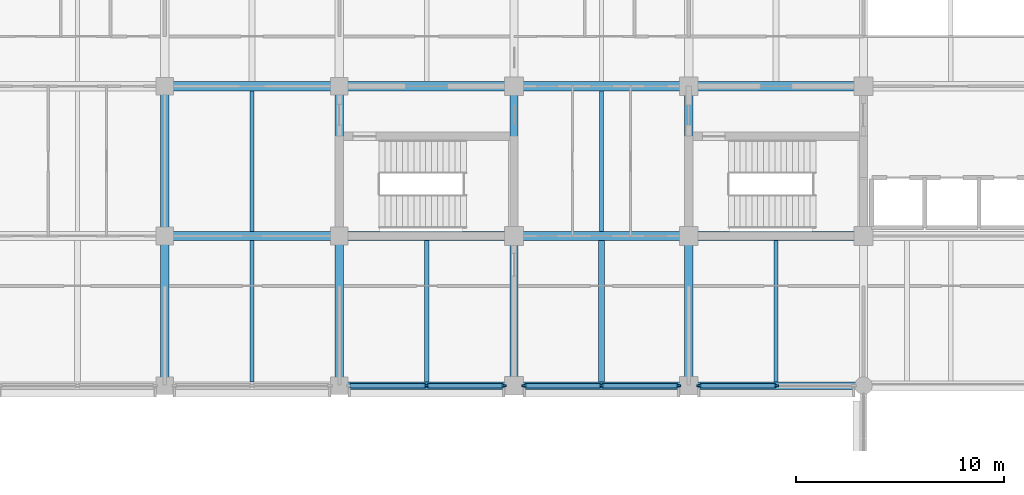
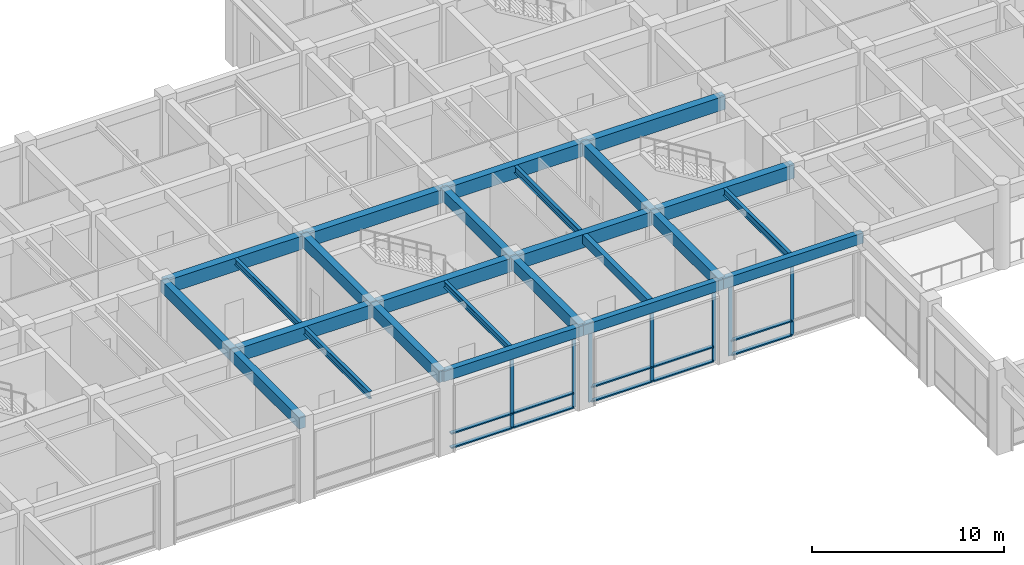
# One storey, part 11 of 68: 25 beams, 22 members, 3 elements without a shape of their own.
"""IFC4 building model written with IfcOpenShell, lengths in metres."""

from ifc_helpers import new_model, si_unit, direction, frame, origin, origin_2d, place, context, subcontext, project, spatial, rectangle, i_section, extrude, material, layer, layer_set, material_profile, profile_set, type_object, element, aggregate, save


model = new_model("IFC4")

# Units and contexts
model_context = context("Model", 3, precision=1e-05, world=origin(), true_north=direction((0.0, 1.0)))
body_context = subcontext(model_context, "Body", "Model", "MODEL_VIEW")
ifc_project = project(units=[si_unit("LENGTHUNIT", "METRE"), si_unit("AREAUNIT", "SQUARE_METRE"), si_unit("VOLUMEUNIT", "CUBIC_METRE"), si_unit("PLANEANGLEUNIT", "RADIAN"), si_unit("MASSUNIT", "GRAM", prefix="KILO")], contexts=[model_context])

# Site, building, storey
site_placement = place(None, origin())
site = spatial("IfcSite", under=ifc_project, at=site_placement, CompositionType="ELEMENT")
building_placement = place(site_placement, origin())
building = spatial("IfcBuilding", under=site, at=building_placement, Name="Chengyuan Square Courthouse", CompositionType="ELEMENT")
storey_placement = place(building_placement, frame((0.0, 0.0, 5.39990234375)))
storey = spatial("IfcBuildingStorey", under=building, at=storey_placement, Name="L02", CompositionType="ELEMENT", Elevation=5.39990234375)

# Beams
ifc_material_1 = material(Name="Concrete C40", Category="concrete")
ifc_material_profile_1 = material_profile(ifc_material_1, rectangle(XDim=0.449951171875, YDim=0.85009765625, at=origin_2d()), Name="RC-BM-450x850")
ifc_profile_set_1 = profile_set([ifc_material_profile_1], Name="Concrete C40")
beam_type_1 = type_object("IfcBeamType", Name="BM-01", PredefinedType="USERDEFINED", material=ifc_profile_set_1)
for number, where, z_axis, x_axis, name in (
    (1, (33.60009765625, 86.39990234375, 4.695068359375), (1.0, 0.0, 0.0), (0.0, 1.0, 0.0), "Girder BM-L02-2143"),
    (2, (42.0, 86.39990234375, 4.695068359375), (1.0, 0.0, 0.0), (0.0, 1.0, 0.0), "Girder BM-L02-2144"),
):
    element("IfcBeam", number, at=place(storey_placement, frame(where, z_axis=z_axis, x_axis=x_axis)), inside=storey, type_object=beam_type_1, Name=name, ObjectType="GIRDER", PredefinedType="USERDEFINED", context=body_context, shape_type="SweptSolid", body=[
        extrude(rectangle(XDim=0.449951171875, YDim=0.85009765625, at=origin_2d()), origin(), (0.0, 0.0, 1.0), 8.39990234375),
    ])
beam_1_placement = place(storey_placement, frame((50.39990234375, 86.39990234375, 4.695068359375), z_axis=(1.0, 0.0, 0.0), x_axis=(0.0, 1.0, 0.0)))
element("IfcBeam", 3, at=beam_1_placement, inside=storey, type_object=beam_type_1, Name="Girder BM-L02-2145", ObjectType="GIRDER", PredefinedType="USERDEFINED", context=body_context, shape_type="SweptSolid", body=[
    extrude(rectangle(XDim=0.449951171875, YDim=0.85009765625, at=origin_2d()), origin(), (0.0, 0.0, 1.0), 8.400146484375),
])
for number, where, z_axis, x_axis, name in (
    (4, (58.800048828125, 86.39990234375, 4.695068359375), (1.0, 0.0, 0.0), (0.0, 1.0, 0.0), "Girder BM-L02-2146"),
    (5, (33.60009765625, 93.60009765625, 4.695068359375), (1.0, 0.0, 0.0), (0.0, 1.0, 0.0), "Girder BM-L02-2163"),
    (6, (42.0, 93.60009765625, 4.695068359375), (1.0, 0.0, 0.0), (0.0, 1.0, 0.0), "Girder BM-L02-2164"),
):
    element("IfcBeam", number, at=place(storey_placement, frame(where, z_axis=z_axis, x_axis=x_axis)), inside=storey, type_object=beam_type_1, Name=name, ObjectType="GIRDER", PredefinedType="USERDEFINED", context=body_context, shape_type="SweptSolid", body=[
        extrude(rectangle(XDim=0.449951171875, YDim=0.85009765625, at=origin_2d()), origin(), (0.0, 0.0, 1.0), 8.39990234375),
    ])
beam_2_placement = place(storey_placement, frame((50.39990234375, 93.60009765625, 4.695068359375), z_axis=(1.0, 0.0, 0.0), x_axis=(0.0, 1.0, 0.0)))
element("IfcBeam", 7, at=beam_2_placement, inside=storey, type_object=beam_type_1, Name="Girder BM-L02-2165", ObjectType="GIRDER", PredefinedType="USERDEFINED", context=body_context, shape_type="SweptSolid", body=[
    extrude(rectangle(XDim=0.449951171875, YDim=0.85009765625, at=origin_2d()), origin(), (0.0, 0.0, 1.0), 8.400146484375),
])
beam_3_placement = place(storey_placement, frame((58.800048828125, 93.60009765625, 4.695068359375), z_axis=(1.0, 0.0, 0.0), x_axis=(0.0, 1.0, 0.0)))
element("IfcBeam", 8, at=beam_3_placement, inside=storey, type_object=beam_type_1, Name="Girder BM-L02-2166", ObjectType="GIRDER", PredefinedType="USERDEFINED", context=body_context, shape_type="SweptSolid", body=[
    extrude(rectangle(XDim=0.449951171875, YDim=0.85009765625, at=origin_2d()), origin(), (0.0, 0.0, 1.0), 8.39990234375),
])
ifc_material_profile_2 = material_profile(ifc_material_1, rectangle(XDim=0.39990234375, YDim=0.75, at=origin_2d()), Name="RC-BM-400x750")
ifc_profile_set_2 = profile_set([ifc_material_profile_2], Name="Concrete C40")
beam_type_2 = type_object("IfcBeamType", Name="BM-02", PredefinedType="USERDEFINED", material=ifc_profile_set_2)
beam_4_placement = place(storey_placement, frame((33.60009765625, 79.199951171875, 4.7451171875), z_axis=(0.0, 1.0, 0.0), x_axis=(-1.0, 0.0, 0.0)))
element("IfcBeam", 9, at=beam_4_placement, inside=storey, type_object=beam_type_2, Name="Girder BM-L02-2276", ObjectType="GIRDER", PredefinedType="USERDEFINED", context=body_context, shape_type="SweptSolid", body=[
    extrude(rectangle(XDim=0.39990234375, YDim=0.75, at=origin_2d()), origin(), (0.0, 0.0, 1.0), 7.199951171875),
])
beam_5_placement = place(storey_placement, frame((33.60009765625, 86.39990234375, 4.7451171875), z_axis=(0.0, 1.0, 0.0), x_axis=(-1.0, 0.0, 0.0)))
element("IfcBeam", 10, at=beam_5_placement, inside=storey, type_object=beam_type_2, Name="Girder BM-L02-2277", ObjectType="GIRDER", PredefinedType="USERDEFINED", context=body_context, shape_type="SweptSolid", body=[
    extrude(rectangle(XDim=0.39990234375, YDim=0.75, at=origin_2d()), origin(), (0.0, 0.0, 1.0), 7.2001953125),
])
beam_6_placement = place(storey_placement, frame((42.0, 79.199951171875, 4.7451171875), z_axis=(0.0, 1.0, 0.0), x_axis=(-1.0, 0.0, 0.0)))
element("IfcBeam", 11, at=beam_6_placement, inside=storey, type_object=beam_type_2, Name="Girder BM-L02-2280", ObjectType="GIRDER", PredefinedType="USERDEFINED", context=body_context, shape_type="SweptSolid", body=[
    extrude(rectangle(XDim=0.39990234375, YDim=0.75, at=origin_2d()), origin(), (0.0, 0.0, 1.0), 7.199951171875),
])
beam_7_placement = place(storey_placement, frame((42.0, 86.39990234375, 4.7451171875), z_axis=(0.0, 1.0, 0.0), x_axis=(-1.0, 0.0, 0.0)))
element("IfcBeam", 12, at=beam_7_placement, inside=storey, type_object=beam_type_2, Name="Girder BM-L02-2281", ObjectType="GIRDER", PredefinedType="USERDEFINED", context=body_context, shape_type="SweptSolid", body=[
    extrude(rectangle(XDim=0.39990234375, YDim=0.75, at=origin_2d()), origin(), (0.0, 0.0, 1.0), 7.2001953125),
])
beam_8_placement = place(storey_placement, frame((50.39990234375, 79.199951171875, 4.7451171875), z_axis=(0.0, 1.0, 0.0), x_axis=(-1.0, 0.0, 0.0)))
element("IfcBeam", 13, at=beam_8_placement, inside=storey, type_object=beam_type_2, Name="Girder BM-L02-2284", ObjectType="GIRDER", PredefinedType="USERDEFINED", context=body_context, shape_type="SweptSolid", body=[
    extrude(rectangle(XDim=0.39990234375, YDim=0.75, at=origin_2d()), origin(), (0.0, 0.0, 1.0), 7.199951171875),
])
beam_9_placement = place(storey_placement, frame((50.39990234375, 86.39990234375, 4.7451171875), z_axis=(0.0, 1.0, 0.0), x_axis=(-1.0, 0.0, 0.0)))
element("IfcBeam", 14, at=beam_9_placement, inside=storey, type_object=beam_type_2, Name="Girder BM-L02-2285", ObjectType="GIRDER", PredefinedType="USERDEFINED", context=body_context, shape_type="SweptSolid", body=[
    extrude(rectangle(XDim=0.39990234375, YDim=0.75, at=origin_2d()), origin(), (0.0, 0.0, 1.0), 7.2001953125),
])
beam_10_placement = place(storey_placement, frame((58.800048828125, 79.199951171875, 4.7451171875), z_axis=(0.0, 1.0, 0.0), x_axis=(-1.0, 0.0, 0.0)))
element("IfcBeam", 15, at=beam_10_placement, inside=storey, type_object=beam_type_2, Name="Girder BM-L02-2289", ObjectType="GIRDER", PredefinedType="USERDEFINED", context=body_context, shape_type="SweptSolid", body=[
    extrude(rectangle(XDim=0.39990234375, YDim=0.75, at=origin_2d()), origin(), (0.0, 0.0, 1.0), 7.199951171875),
])
beam_11_placement = place(storey_placement, frame((58.800048828125, 86.39990234375, 4.7451171875), z_axis=(0.0, 1.0, 0.0), x_axis=(-1.0, 0.0, 0.0)))
element("IfcBeam", 16, at=beam_11_placement, inside=storey, type_object=beam_type_2, Name="Girder BM-L02-2290", ObjectType="GIRDER", PredefinedType="USERDEFINED", context=body_context, shape_type="SweptSolid", body=[
    extrude(rectangle(XDim=0.39990234375, YDim=0.75, at=origin_2d()), origin(), (0.0, 0.0, 1.0), 7.2001953125),
])
ifc_material_profile_3 = material_profile(ifc_material_1, rectangle(XDim=0.35009765625, YDim=0.64990234375, at=origin_2d()), Name="RC-BM-350x650")
ifc_profile_set_3 = profile_set([ifc_material_profile_3], Name="Concrete C40")
beam_type_3 = type_object("IfcBeamType", Name="BM-03", PredefinedType="SPANDREL", material=ifc_profile_set_3)
beam_12_placement = place(storey_placement, frame((42.0, 79.199951171875, 4.795166015625), z_axis=(1.0, 0.0, 0.0), x_axis=(0.0, 1.0, 0.0)))
element("IfcBeam", 17, at=beam_12_placement, inside=storey, type_object=beam_type_3, Name="Girder BM-L02-2124", PredefinedType="SPANDREL", context=body_context, shape_type="SweptSolid", body=[
    extrude(rectangle(XDim=0.35009765625, YDim=0.64990234375, at=origin_2d()), origin(), (0.0, 0.0, 1.0), 8.39990234375),
])
beam_13_placement = place(storey_placement, frame((50.39990234375, 79.199951171875, 4.795166015625), z_axis=(1.0, 0.0, 0.0), x_axis=(0.0, 1.0, 0.0)))
element("IfcBeam", 18, at=beam_13_placement, inside=storey, type_object=beam_type_3, Name="Girder BM-L02-2125", PredefinedType="SPANDREL", context=body_context, shape_type="SweptSolid", body=[
    extrude(rectangle(XDim=0.35009765625, YDim=0.64990234375, at=origin_2d()), origin(), (0.0, 0.0, 1.0), 8.400146484375),
])
beam_14_placement = place(storey_placement, frame((58.800048828125, 79.199951171875, 4.795166015625), z_axis=(1.0, 0.0, 0.0), x_axis=(0.0, 1.0, 0.0)))
element("IfcBeam", 19, at=beam_14_placement, inside=storey, type_object=beam_type_3, Name="Girder BM-L02-2126", PredefinedType="SPANDREL", context=body_context, shape_type="SweptSolid", body=[
    extrude(rectangle(XDim=0.35009765625, YDim=0.64990234375, at=origin_2d()), origin(), (0.0, 0.0, 1.0), 8.39990234375),
])
ifc_material_profile_4 = material_profile(ifc_material_1, rectangle(XDim=0.300048828125, YDim=0.550048828125, at=origin_2d()), Name="RC-BM-300x550")
ifc_profile_set_4 = profile_set([ifc_material_profile_4], Name="Concrete C40")
beam_type_4 = type_object("IfcBeamType", Name="BM-04", PredefinedType="BEAM", material=ifc_profile_set_4)
beam_15_placement = place(storey_placement, frame((54.60009765625, 79.375, 4.84521484375), z_axis=(0.0, 1.0, 0.0), x_axis=(-1.0, 0.0, 0.0)))
element("IfcBeam", 20, at=beam_15_placement, inside=storey, type_object=beam_type_4, Name="Secondary Floor Beam SBM-L02-2433", PredefinedType="BEAM", context=body_context, shape_type="SweptSolid", body=[
    extrude(rectangle(XDim=0.300048828125, YDim=0.550048828125, at=origin_2d()), origin(), (0.0, 0.0, 1.0), 6.800048828125),
])
ifc_material_2 = material(Name="Steel Q355B", Category="steel")
ifc_material_profile_5 = material_profile(ifc_material_2, i_section(OverallWidth=0.199951171875, OverallDepth=0.449951171875, WebThickness=0.009033203125, FlangeThickness=0.013916015625, at=origin_2d()), Name="HN 450x200x9x14")
ifc_profile_set_5 = profile_set([ifc_material_profile_5], Name="Steel Q355B")
beam_type_5 = type_object("IfcBeamType", Name="BM-06", PredefinedType="BEAM", material=ifc_profile_set_5)
beam_16_placement = place(storey_placement, frame((37.800048828125, 79.375, 4.89501953125), z_axis=(0.0, 1.0, 0.0), x_axis=(-1.0, 0.0, 0.0)))
element("IfcBeam", 21, at=beam_16_placement, inside=storey, type_object=beam_type_5, Name="Secondary Floor Beam SBM-L02-2426", PredefinedType="BEAM", context=body_context, shape_type="SweptSolid", body=[
    extrude(i_section(OverallWidth=0.199951171875, OverallDepth=0.449951171875, WebThickness=0.009033203125, FlangeThickness=0.013916015625, at=origin_2d()), origin(), (0.0, 0.0, 1.0), 6.800048828125),
])
beam_17_placement = place(storey_placement, frame((54.60009765625, 86.625, 4.89501953125), z_axis=(0.0, 1.0, 0.0), x_axis=(-1.0, 0.0, 0.0)))
element("IfcBeam", 22, at=beam_17_placement, inside=storey, type_object=beam_type_5, Name="Secondary Floor Beam SBM-L02-2434", PredefinedType="BEAM", context=body_context, shape_type="SweptSolid", body=[
    extrude(i_section(OverallWidth=0.199951171875, OverallDepth=0.449951171875, WebThickness=0.009033203125, FlangeThickness=0.013916015625, at=origin_2d()), origin(), (0.0, 0.0, 1.0), 6.75),
])
beam_18_placement = place(storey_placement, frame((63.0, 79.375, 4.89501953125), z_axis=(0.0, 1.0, 0.0), x_axis=(-1.0, 0.0, 0.0)))
element("IfcBeam", 23, at=beam_18_placement, inside=storey, type_object=beam_type_5, Name="Secondary Floor Beam SBM-L02-2438", PredefinedType="BEAM", context=body_context, shape_type="SweptSolid", body=[
    extrude(i_section(OverallWidth=0.199951171875, OverallDepth=0.449951171875, WebThickness=0.009033203125, FlangeThickness=0.013916015625, at=origin_2d()), origin(), (0.0, 0.0, 1.0), 6.800048828125),
])
ifc_material_profile_6 = material_profile(ifc_material_2, i_section(OverallWidth=0.199951171875, OverallDepth=0.39990234375, WebThickness=0.008056640625, FlangeThickness=0.012939453125, at=origin_2d()), Name="HN 400x200x8x13")
ifc_profile_set_6 = profile_set([ifc_material_profile_6], Name="Steel Q355B")
beam_type_6 = type_object("IfcBeamType", Name="BM-07", PredefinedType="BEAM", material=ifc_profile_set_6)
beam_19_placement = place(storey_placement, frame((37.800048828125, 86.625, 4.920166015625), z_axis=(0.0, 1.0, 0.0), x_axis=(-1.0, 0.0, 0.0)))
element("IfcBeam", 24, at=beam_19_placement, inside=storey, type_object=beam_type_6, Name="Secondary Floor Beam SBM-L02-2427", PredefinedType="BEAM", context=body_context, shape_type="SweptSolid", body=[
    extrude(i_section(OverallWidth=0.199951171875, OverallDepth=0.39990234375, WebThickness=0.008056640625, FlangeThickness=0.012939453125, at=origin_2d()), origin(), (0.0, 0.0, 1.0), 6.75),
])
beam_20_placement = place(storey_placement, frame((46.199951171875, 79.375, 4.920166015625), z_axis=(0.0, 1.0, 0.0), x_axis=(-1.0, 0.0, 0.0)))
element("IfcBeam", 25, at=beam_20_placement, inside=storey, type_object=beam_type_6, Name="Secondary Floor Beam SBM-L02-2430", PredefinedType="BEAM", context=body_context, shape_type="SweptSolid", body=[
    extrude(i_section(OverallWidth=0.199951171875, OverallDepth=0.39990234375, WebThickness=0.008056640625, FlangeThickness=0.012939453125, at=origin_2d()), origin(), (0.0, 0.0, 1.0), 6.800048828125),
])

# Curtain wall, members
ifc_material_3 = material(Name="Unitised Aluminium and Triple Low-E Glass", Category="aluminium")
ifc_layer = layer(ifc_material_3, 0.219970703125)
ifc_layer_set = layer_set([ifc_layer], Name="Unitised Aluminium and Triple Low-E Glass")
curtain_wall_type = type_object("IfcCurtainWallType", Name="CW-04", PredefinedType="USERDEFINED", material=ifc_layer_set)
curtain_wall_1_placement = place(storey_placement, origin())
curtain_wall_1 = element("IfcCurtainWall", 26, at=curtain_wall_1_placement, inside=storey, type_object=curtain_wall_type, Name="Unitised Curtain Wall CW-L02-058", ObjectType="UNITISED CURTAIN WALL", PredefinedType="USERDEFINED")
ifc_material_4 = material(Name="Aluminium 6063-T6 Frame", Category="aluminium")
ifc_material_profile_7 = material_profile(ifc_material_4, rectangle(XDim=0.080078125, YDim=0.219970703125, at=origin_2d()), Name="CW-MUL-80x220")
ifc_profile_set_7 = profile_set([ifc_material_profile_7], Name="Aluminium 6063-T6 Frame")
member_type_1 = type_object("IfcMemberType", Name="CWM-04", PredefinedType="MULLION", material=ifc_profile_set_7)
member_1_placement = place(storey_placement, frame((46.1875, 79.199951171875, 0.0), z_axis=(0.0, 0.0, 1.0), x_axis=(0.0, 1.0, 0.0)))
member_1 = element("IfcMember", 27, at=member_1_placement, type_object=member_type_1, Name="CW-04 mullion 2", PredefinedType="MULLION", context=body_context, shape_type="SweptSolid", body=[
    extrude(rectangle(XDim=0.080078125, YDim=0.219970703125, at=origin_2d()), origin(), (0.0, 0.0, 1.0), 4.47021484375),
])
member_2_placement = place(storey_placement, frame((49.909912109375, 79.199951171875, 0.0), z_axis=(0.0, 0.0, 1.0), x_axis=(0.0, 1.0, 0.0)))
member_2 = element("IfcMember", 28, at=member_2_placement, type_object=member_type_1, Name="CW-04 mullion 3", PredefinedType="MULLION", context=body_context, shape_type="SweptSolid", body=[
    extrude(rectangle(XDim=0.080078125, YDim=0.219970703125, at=origin_2d()), origin(), (0.0, 0.0, 1.0), 4.47021484375),
])

curtain_wall_2_placement = place(storey_placement, origin())
curtain_wall_2 = element("IfcCurtainWall", 29, at=curtain_wall_2_placement, inside=storey, type_object=curtain_wall_type, Name="Unitised Curtain Wall CW-L02-059", ObjectType="UNITISED CURTAIN WALL", PredefinedType="USERDEFINED")
member_3_placement = place(storey_placement, frame((50.889892578125, 79.199951171875, 0.0), z_axis=(0.0, 0.0, 1.0), x_axis=(0.0, 1.0, 0.0)))
member_3 = element("IfcMember", 30, at=member_3_placement, type_object=member_type_1, Name="CW-04 mullion 1", PredefinedType="MULLION", context=body_context, shape_type="SweptSolid", body=[
    extrude(rectangle(XDim=0.080078125, YDim=0.219970703125, at=origin_2d()), origin(), (0.0, 0.0, 1.0), 4.47021484375),
])
member_4_placement = place(storey_placement, frame((54.60009765625, 79.199951171875, 0.0), z_axis=(0.0, 0.0, 1.0), x_axis=(0.0, 1.0, 0.0)))
member_4 = element("IfcMember", 31, at=member_4_placement, type_object=member_type_1, Name="CW-04 mullion 2", PredefinedType="MULLION", context=body_context, shape_type="SweptSolid", body=[
    extrude(rectangle(XDim=0.080078125, YDim=0.219970703125, at=origin_2d()), origin(), (0.0, 0.0, 1.0), 4.47021484375),
])
member_5_placement = place(storey_placement, frame((58.31005859375, 79.199951171875, 0.0), z_axis=(0.0, 0.0, 1.0), x_axis=(0.0, 1.0, 0.0)))
member_5 = element("IfcMember", 32, at=member_5_placement, type_object=member_type_1, Name="CW-04 mullion 3", PredefinedType="MULLION", context=body_context, shape_type="SweptSolid", body=[
    extrude(rectangle(XDim=0.080078125, YDim=0.219970703125, at=origin_2d()), origin(), (0.0, 0.0, 1.0), 4.47021484375),
])

curtain_wall_3_placement = place(storey_placement, origin())
curtain_wall_3 = element("IfcCurtainWall", 33, at=curtain_wall_3_placement, inside=storey, type_object=curtain_wall_type, Name="Unitised Curtain Wall CW-L02-060", ObjectType="UNITISED CURTAIN WALL", PredefinedType="USERDEFINED")
member_6_placement = place(storey_placement, frame((59.2900390625, 79.199951171875, 0.0), z_axis=(0.0, 0.0, 1.0), x_axis=(0.0, 1.0, 0.0)))
member_6 = element("IfcMember", 34, at=member_6_placement, type_object=member_type_1, Name="CW-04 mullion 1", PredefinedType="MULLION", context=body_context, shape_type="SweptSolid", body=[
    extrude(rectangle(XDim=0.080078125, YDim=0.219970703125, at=origin_2d()), origin(), (0.0, 0.0, 1.0), 4.47021484375),
])
member_7_placement = place(storey_placement, frame((63.012451171875, 79.199951171875, 0.0), z_axis=(0.0, 0.0, 1.0), x_axis=(0.0, 1.0, 0.0)))
member_7 = element("IfcMember", 35, at=member_7_placement, type_object=member_type_1, Name="CW-04 mullion 2", PredefinedType="MULLION", context=body_context, shape_type="SweptSolid", body=[
    extrude(rectangle(XDim=0.080078125, YDim=0.219970703125, at=origin_2d()), origin(), (0.0, 0.0, 1.0), 4.47021484375),
])

# Member
ifc_material_profile_8 = material_profile(ifc_material_4, rectangle(XDim=0.219970703125, YDim=0.080078125, at=origin_2d()), Name="CW-TRN-80x180")
ifc_profile_set_8 = profile_set([ifc_material_profile_8], Name="Aluminium 6063-T6 Frame")
member_type_2 = type_object("IfcMemberType", Name="CWT-04", PredefinedType="USERDEFINED", material=ifc_profile_set_8)
member_8_placement = place(storey_placement, frame((42.5048828125, 79.199951171875, 0.0400390625), z_axis=(1.0, 0.0, 0.0), x_axis=(0.0, 1.0, 0.0)))
member_8 = element("IfcMember", 36, at=member_8_placement, type_object=member_type_2, Name="CW-04 transom 1.1", ObjectType="TRANSOM", PredefinedType="USERDEFINED", context=body_context, shape_type="SweptSolid", body=[
    extrude(rectangle(XDim=0.219970703125, YDim=0.080078125, at=origin_2d()), origin(), (0.0, 0.0, 1.0), 3.642578125),
])

member_9_placement = place(storey_placement, frame((42.5048828125, 79.199951171875, 0.9501953125), z_axis=(1.0, 0.0, 0.0), x_axis=(0.0, 1.0, 0.0)))
member_9 = element("IfcMember", 37, at=member_9_placement, type_object=member_type_2, Name="CW-04 transom 1.2", ObjectType="TRANSOM", PredefinedType="USERDEFINED", context=body_context, shape_type="SweptSolid", body=[
    extrude(rectangle(XDim=0.219970703125, YDim=0.080078125, at=origin_2d()), origin(), (0.0, 0.0, 1.0), 3.642578125),
])

member_10_placement = place(storey_placement, frame((42.5048828125, 79.199951171875, 4.43017578125), z_axis=(1.0, 0.0, 0.0), x_axis=(0.0, 1.0, 0.0)))
member_10 = element("IfcMember", 38, at=member_10_placement, type_object=member_type_2, Name="CW-04 transom 1.3", ObjectType="TRANSOM", PredefinedType="USERDEFINED", context=body_context, shape_type="SweptSolid", body=[
    extrude(rectangle(XDim=0.219970703125, YDim=0.080078125, at=origin_2d()), origin(), (0.0, 0.0, 1.0), 3.642578125),
])

member_11_placement = place(storey_placement, frame((46.2275390625, 79.199951171875, 0.0400390625), z_axis=(1.0, 0.0, 0.0), x_axis=(0.0, 1.0, 0.0)))
member_11 = element("IfcMember", 39, at=member_11_placement, type_object=member_type_2, Name="CW-04 transom 2.1", ObjectType="TRANSOM", PredefinedType="USERDEFINED", context=body_context, shape_type="SweptSolid", body=[
    extrude(rectangle(XDim=0.219970703125, YDim=0.080078125, at=origin_2d()), origin(), (0.0, 0.0, 1.0), 3.642578125),
])

member_12_placement = place(storey_placement, frame((46.2275390625, 79.199951171875, 0.9501953125), z_axis=(1.0, 0.0, 0.0), x_axis=(0.0, 1.0, 0.0)))
member_12 = element("IfcMember", 40, at=member_12_placement, type_object=member_type_2, Name="CW-04 transom 2.2", ObjectType="TRANSOM", PredefinedType="USERDEFINED", context=body_context, shape_type="SweptSolid", body=[
    extrude(rectangle(XDim=0.219970703125, YDim=0.080078125, at=origin_2d()), origin(), (0.0, 0.0, 1.0), 3.642578125),
])

member_13_placement = place(storey_placement, frame((46.2275390625, 79.199951171875, 4.43017578125), z_axis=(1.0, 0.0, 0.0), x_axis=(0.0, 1.0, 0.0)))
member_13 = element("IfcMember", 41, at=member_13_placement, type_object=member_type_2, Name="CW-04 transom 2.3", ObjectType="TRANSOM", PredefinedType="USERDEFINED", context=body_context, shape_type="SweptSolid", body=[
    extrude(rectangle(XDim=0.219970703125, YDim=0.080078125, at=origin_2d()), origin(), (0.0, 0.0, 1.0), 3.642578125),
])

aggregate(curtain_wall_1, [member_1, member_2, member_8, member_9, member_10, member_11, member_12, member_13])

member_14_placement = place(storey_placement, frame((50.929931640625, 79.199951171875, 0.0400390625), z_axis=(1.0, 0.0, 0.0), x_axis=(0.0, 1.0, 0.0)))
member_14 = element("IfcMember", 42, at=member_14_placement, type_object=member_type_2, Name="CW-04 transom 1.1", ObjectType="TRANSOM", PredefinedType="USERDEFINED", context=body_context, shape_type="SweptSolid", body=[
    extrude(rectangle(XDim=0.219970703125, YDim=0.080078125, at=origin_2d()), origin(), (0.0, 0.0, 1.0), 3.630126953125),
])

member_15_placement = place(storey_placement, frame((50.929931640625, 79.199951171875, 0.9501953125), z_axis=(1.0, 0.0, 0.0), x_axis=(0.0, 1.0, 0.0)))
member_15 = element("IfcMember", 43, at=member_15_placement, type_object=member_type_2, Name="CW-04 transom 1.2", ObjectType="TRANSOM", PredefinedType="USERDEFINED", context=body_context, shape_type="SweptSolid", body=[
    extrude(rectangle(XDim=0.219970703125, YDim=0.080078125, at=origin_2d()), origin(), (0.0, 0.0, 1.0), 3.630126953125),
])

member_16_placement = place(storey_placement, frame((50.929931640625, 79.199951171875, 4.43017578125), z_axis=(1.0, 0.0, 0.0), x_axis=(0.0, 1.0, 0.0)))
member_16 = element("IfcMember", 44, at=member_16_placement, type_object=member_type_2, Name="CW-04 transom 1.3", ObjectType="TRANSOM", PredefinedType="USERDEFINED", context=body_context, shape_type="SweptSolid", body=[
    extrude(rectangle(XDim=0.219970703125, YDim=0.080078125, at=origin_2d()), origin(), (0.0, 0.0, 1.0), 3.630126953125),
])

member_17_placement = place(storey_placement, frame((54.639892578125, 79.199951171875, 0.0400390625), z_axis=(1.0, 0.0, 0.0), x_axis=(0.0, 1.0, 0.0)))
member_17 = element("IfcMember", 45, at=member_17_placement, type_object=member_type_2, Name="CW-04 transom 2.1", ObjectType="TRANSOM", PredefinedType="USERDEFINED", context=body_context, shape_type="SweptSolid", body=[
    extrude(rectangle(XDim=0.219970703125, YDim=0.080078125, at=origin_2d()), origin(), (0.0, 0.0, 1.0), 3.630126953125),
])

member_18_placement = place(storey_placement, frame((54.639892578125, 79.199951171875, 0.9501953125), z_axis=(1.0, 0.0, 0.0), x_axis=(0.0, 1.0, 0.0)))
member_18 = element("IfcMember", 46, at=member_18_placement, type_object=member_type_2, Name="CW-04 transom 2.2", ObjectType="TRANSOM", PredefinedType="USERDEFINED", context=body_context, shape_type="SweptSolid", body=[
    extrude(rectangle(XDim=0.219970703125, YDim=0.080078125, at=origin_2d()), origin(), (0.0, 0.0, 1.0), 3.630126953125),
])

member_19_placement = place(storey_placement, frame((54.639892578125, 79.199951171875, 4.43017578125), z_axis=(1.0, 0.0, 0.0), x_axis=(0.0, 1.0, 0.0)))
member_19 = element("IfcMember", 47, at=member_19_placement, type_object=member_type_2, Name="CW-04 transom 2.3", ObjectType="TRANSOM", PredefinedType="USERDEFINED", context=body_context, shape_type="SweptSolid", body=[
    extrude(rectangle(XDim=0.219970703125, YDim=0.080078125, at=origin_2d()), origin(), (0.0, 0.0, 1.0), 3.630126953125),
])

aggregate(curtain_wall_2, [member_3, member_4, member_5, member_14, member_15, member_16, member_17, member_18, member_19])

member_20_placement = place(storey_placement, frame((59.330078125, 79.199951171875, 0.0400390625), z_axis=(1.0, 0.0, 0.0), x_axis=(0.0, 1.0, 0.0)))
member_20 = element("IfcMember", 48, at=member_20_placement, type_object=member_type_2, Name="CW-04 transom 1.1", ObjectType="TRANSOM", PredefinedType="USERDEFINED", context=body_context, shape_type="SweptSolid", body=[
    extrude(rectangle(XDim=0.219970703125, YDim=0.080078125, at=origin_2d()), origin(), (0.0, 0.0, 1.0), 3.642333984375),
])

member_21_placement = place(storey_placement, frame((59.330078125, 79.199951171875, 0.9501953125), z_axis=(1.0, 0.0, 0.0), x_axis=(0.0, 1.0, 0.0)))
member_21 = element("IfcMember", 49, at=member_21_placement, type_object=member_type_2, Name="CW-04 transom 1.2", ObjectType="TRANSOM", PredefinedType="USERDEFINED", context=body_context, shape_type="SweptSolid", body=[
    extrude(rectangle(XDim=0.219970703125, YDim=0.080078125, at=origin_2d()), origin(), (0.0, 0.0, 1.0), 3.642333984375),
])

member_22_placement = place(storey_placement, frame((59.330078125, 79.199951171875, 4.43017578125), z_axis=(1.0, 0.0, 0.0), x_axis=(0.0, 1.0, 0.0)))
member_22 = element("IfcMember", 50, at=member_22_placement, type_object=member_type_2, Name="CW-04 transom 1.3", ObjectType="TRANSOM", PredefinedType="USERDEFINED", context=body_context, shape_type="SweptSolid", body=[
    extrude(rectangle(XDim=0.219970703125, YDim=0.080078125, at=origin_2d()), origin(), (0.0, 0.0, 1.0), 3.642333984375),
])

aggregate(curtain_wall_3, [member_6, member_7, member_20, member_21, member_22])

save(model, "model.ifc")
